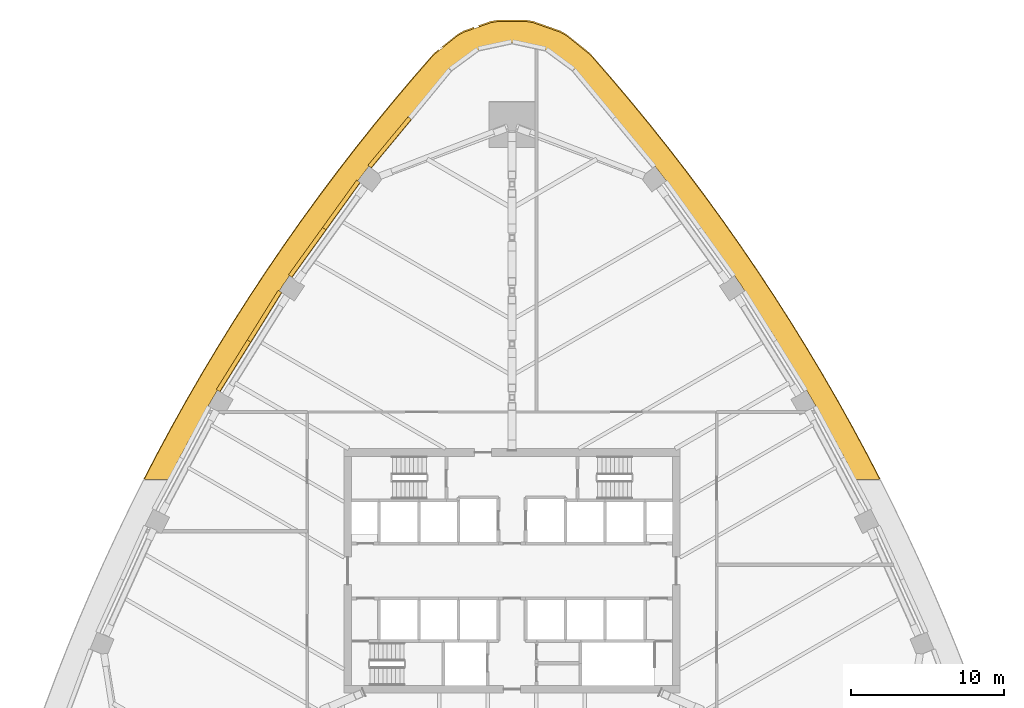
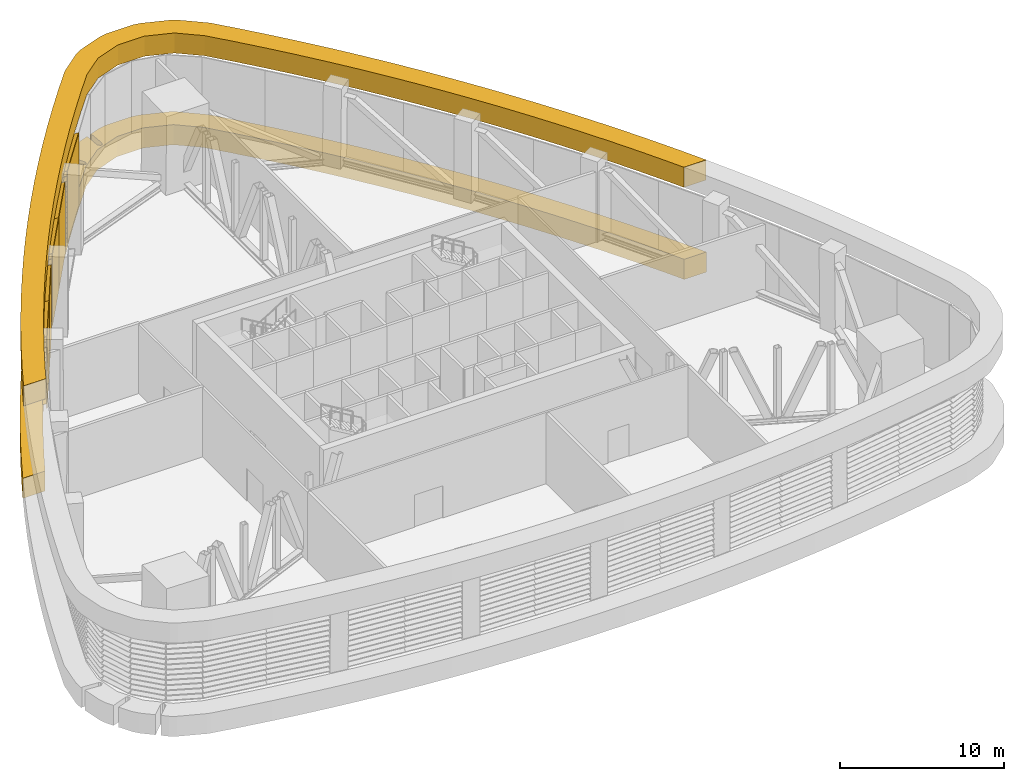
# One storey, part 16 of 18: 5 shading devices, 2 coverings.
"""IFC4 building model written with IfcOpenShell, lengths in metres."""

from ifc_helpers import new_model, si_unit, direction, frame, origin, place, context, subcontext, project, spatial, polyline, outline, extrude, material, layer, layer_set, type_object, element, save


model = new_model("IFC4")

# Units and contexts
model_context = context("Model", 3, precision=1e-05, world=origin(), true_north=direction((0.0, 1.0)))
body_context = subcontext(model_context, "Body", "Model", "MODEL_VIEW")
ifc_project = project(units=[si_unit("LENGTHUNIT", "METRE"), si_unit("AREAUNIT", "SQUARE_METRE"), si_unit("VOLUMEUNIT", "CUBIC_METRE"), si_unit("PLANEANGLEUNIT", "RADIAN"), si_unit("MASSUNIT", "GRAM", prefix="KILO")], contexts=[model_context])

# Site, building, storey
site_placement = place(None, origin())
site = spatial("IfcSite", under=ifc_project, at=site_placement, CompositionType="ELEMENT")
building_placement = place(site_placement, origin())
building = spatial("IfcBuilding", under=site, at=building_placement, Name="Sierra Prisma Convention Tower", CompositionType="ELEMENT")
storey_placement = place(building_placement, frame((0.0, 0.0, 112.60009765625)))
storey = spatial("IfcBuildingStorey", under=building, at=storey_placement, Name="L24", CompositionType="ELEMENT", Elevation=112.60009765625)

# Coverings
ifc_material_1 = material(Name="Aluminium composite bronze anodised", Category="aluminium")
ifc_layer = layer(ifc_material_1, 1.39990234375)
ifc_layer_set = layer_set([ifc_layer], Name="Bronze belt mass")
covering_type = type_object("IfcCoveringType", Name="Bronze belt mass", PredefinedType="CLADDING", material=ifc_layer_set)
covering_1_placement = place(storey_placement, frame((0.0, 0.0, -1.5)))
element("IfcCovering", 1, at=covering_1_placement, inside=storey, type_object=covering_type, Name="Belt mass lower L24.2", PredefinedType="CLADDING", context=body_context, shape_type="SweptSolid", body=[
    extrude(outline(polyline([(-23.26416015625, 7.674072265625), (-23.25439453125, 7.6923828125), (-22.320556640625, 9.427001953125), (-22.310546875, 9.4453125), (-21.35107421875, 11.16552734375), (-21.3408203125, 11.18359375), (-20.355712890625, 12.889892578125), (-20.34521484375, 12.90771484375), (-19.3349609375, 14.59912109375), (-19.32421875, 14.61669921875), (-18.2890625, 16.292724609375), (-18.278076171875, 16.310302734375), (-17.218017578125, 17.970947265625), (-17.206787109375, 17.98828125), (-16.122314453125, 19.633056640625), (-16.11083984375, 19.650390625), (-15.002197265625, 21.27880859375), (-14.990234375, 21.2958984375), (-13.857666015625, 22.90771484375), (-13.845458984375, 22.924560546875), (-12.68896484375, 24.519287109375), (-12.6767578125, 24.535888671875), (-11.49658203125, 26.11328125), (-11.48388671875, 26.1298828125), (-10.28076171875, 27.689697265625), (-10.267822265625, 27.7060546875), (-9.04150390625, 29.247802734375), (-9.028564453125, 29.263916015625), (-7.779541015625, 30.78759765625), (-7.76611328125, 30.803466796875), (-6.49462890625, 32.30810546875), (-6.481201171875, 32.323974609375), (-5.1875, 33.8095703125), (-5.00927734375, 33.98095703125), (-4.822265625, 34.13134765625), (-4.822265625, 34.12890625), (-4.8212890625, 34.124267578125), (-4.820068359375, 34.119384765625), (-4.818359375, 34.11474609375), (-4.81640625, 34.1103515625), (-4.28564453125, 33.146728515625), (-4.283203125, 33.142822265625), (-4.280517578125, 33.13916015625), (-4.27734375, 33.1357421875), (-4.27392578125, 33.132568359375), (-4.270263671875, 33.1298828125), (-4.266357421875, 33.127197265625), (-4.26220703125, 33.125244140625), (-4.116455078125, 33.060791015625), (-4.11181640625, 33.058837890625), (-4.10693359375, 33.0576171875), (-4.10205078125, 33.056884765625), (-4.09716796875, 33.056396484375), (-4.092041015625, 33.056640625), (-4.087158203125, 33.05712890625), (-4.082275390625, 33.058349609375), (-4.07763671875, 33.06005859375), (-4.072998046875, 33.06201171875), (-4.06884765625, 33.064453125), (-4.064697265625, 33.0673828125), (-3.98681640625, 33.130126953125), (-3.98291015625, 33.133544921875), (-3.9794921875, 33.137451171875), (-3.9765625, 33.1416015625), (-3.973876953125, 33.14599609375), (-3.9716796875, 33.15087890625), (-3.97021484375, 33.15576171875), (-3.968994140625, 33.16064453125), (-3.96826171875, 33.166015625), (-3.96826171875, 33.1708984375), (-3.972900390625, 33.29345703125), (-3.973388671875, 33.298095703125), (-3.97412109375, 33.302734375), (-3.975341796875, 33.30712890625), (-3.97705078125, 33.3115234375), (-3.97900390625, 33.315673828125), (-4.509765625, 34.279296875), (-4.51220703125, 34.283447265625), (-4.51513671875, 34.287353515625), (-4.5185546875, 34.291015625), (-4.522216796875, 34.294189453125), (-4.526123046875, 34.297119140625), (-4.530517578125, 34.299560546875), (-4.534912109375, 34.301513671875), (-4.53955078125, 34.30322265625), (-4.544189453125, 34.30419921875), (-4.54931640625, 34.304931640625), (-4.55419921875, 34.30517578125), (-4.55908203125, 34.3046875), (-4.563720703125, 34.303955078125), (-4.568603515625, 34.302734375), (-4.5732421875, 34.301025390625), (-4.57763671875, 34.298828125), (-4.693359375, 34.235107421875), (-3.560791015625, 35.146484375), (-3.1484375, 35.376220703125), (-2.501708984375, 35.60400390625), (-2.418212890625, 34.52490234375), (-2.41748046875, 34.519775390625), (-2.41650390625, 34.514892578125), (-2.414794921875, 34.51025390625), (-2.412841796875, 34.505615234375), (-2.410400390625, 34.50146484375), (-2.407470703125, 34.497314453125), (-2.404296875, 34.49365234375), (-2.286865234375, 34.37353515625), (-2.283447265625, 34.370361328125), (-2.279541015625, 34.367431640625), (-2.275634765625, 34.364990234375), (-2.271484375, 34.36279296875), (-2.26708984375, 34.361083984375), (-2.262451171875, 34.35986328125), (-2.2578125, 34.35888671875), (-2.2529296875, 34.3583984375), (-2.248291015625, 34.3583984375), (-2.24365234375, 34.35888671875), (-2.239013671875, 34.35986328125), (-2.234375, 34.361328125), (-2.14013671875, 34.39453125), (-2.135498046875, 34.396484375), (-2.131103515625, 34.398681640625), (-2.126953125, 34.401611328125), (-2.123291015625, 34.404541015625), (-2.11962890625, 34.408203125), (-2.11669921875, 34.411865234375), (-2.11376953125, 34.416015625), (-2.111572265625, 34.42041015625), (-2.109619140625, 34.425048828125), (-2.072021484375, 34.53125), (-2.070556640625, 34.5361328125), (-2.069580078125, 34.541259765625), (-2.069091796875, 34.54638671875), (-2.0693359375, 34.5517578125), (-2.154052734375, 35.6484375), (-2.15478515625, 35.6533203125), (-2.15576171875, 35.658203125), (-2.1572265625, 35.662841796875), (-2.1591796875, 35.667236328125), (-2.161865234375, 35.67138671875), (-2.16455078125, 35.675537109375), (-2.167724609375, 35.67919921875), (-2.17138671875, 35.6826171875), (-2.17529296875, 35.685546875), (-2.179443359375, 35.688232421875), (-2.183837890625, 35.6904296875), (-2.1884765625, 35.692138671875), (-2.193115234375, 35.693359375), (-2.197998046875, 35.6943359375), (-2.202880859375, 35.694580078125), (-2.207763671875, 35.694580078125), (-2.255615234375, 35.69091796875), (-1.39501953125, 35.994140625), (-0.9296875, 36.073486328125), (0.9296875, 36.073486328125), (1.39501953125, 35.994140625), (3.1484375, 35.376220703125), (3.560791015625, 35.146484375), (5.00927734375, 33.98095703125), (5.1875, 33.8095703125), (6.481201171875, 32.323974609375), (6.49462890625, 32.30810546875), (7.76611328125, 30.803466796875), (7.779541015625, 30.78759765625), (9.028564453125, 29.263916015625), (9.04150390625, 29.247802734375), (10.267822265625, 27.7060546875), (10.28076171875, 27.689697265625), (11.48388671875, 26.1298828125), (11.49658203125, 26.11328125), (12.6767578125, 24.535888671875), (12.68896484375, 24.519287109375), (13.845458984375, 22.924560546875), (13.857666015625, 22.90771484375), (14.990234375, 21.2958984375), (15.002197265625, 21.27880859375), (16.11083984375, 19.650390625), (16.122314453125, 19.633056640625), (17.206787109375, 17.98828125), (17.218017578125, 17.970947265625), (18.278076171875, 16.310302734375), (18.2890625, 16.292724609375), (19.32421875, 14.61669921875), (19.3349609375, 14.59912109375), (20.34521484375, 12.90771484375), (20.355712890625, 12.889892578125), (21.3408203125, 11.18359375), (21.35107421875, 11.16552734375), (22.310546875, 9.4453125), (22.320556640625, 9.427001953125), (23.25439453125, 7.6923828125), (23.26416015625, 7.674072265625), (24.128662109375, 6.010009765625), (22.551025390625, 6.010009765625), (22.02197265625, 7.02880859375), (21.087890625, 8.76318359375), (20.12841796875, 10.483642578125), (19.94921875, 10.793701171875), (19.949462890625, 10.797607421875), (19.948974609375, 10.802490234375), (19.947998046875, 10.807373046875), (19.94677734375, 10.812255859375), (19.945068359375, 10.816650390625), (19.942626953125, 10.821044921875), (19.3427734375, 11.8603515625), (19.340087890625, 11.864501953125), (19.3369140625, 11.8681640625), (19.33349609375, 11.871826171875), (19.329833984375, 11.875), (19.325927734375, 11.877685546875), (19.322265625, 11.879638671875), (19.143310546875, 12.189697265625), (18.133056640625, 13.881103515625), (17.097900390625, 15.55712890625), (16.0380859375, 17.2177734375), (15.31640625, 18.31201171875), (15.31640625, 18.31591796875), (15.315673828125, 18.32080078125), (15.314453125, 18.325439453125), (15.312744140625, 18.330078125), (15.310546875, 18.33447265625), (15.30810546875, 18.338623046875), (14.64013671875, 19.335693359375), (14.637451171875, 19.339111328125), (14.616943359375, 19.364501953125), (14.613525390625, 19.3681640625), (14.610107421875, 19.37158203125), (14.60595703125, 19.37451171875), (14.604248046875, 19.37548828125), (13.844970703125, 20.49072265625), (12.712158203125, 22.1025390625), (11.5556640625, 23.697509765625), (10.37548828125, 25.27490234375), (10.189697265625, 25.515625), (10.189453125, 25.5166015625), (10.1875, 25.521240234375), (10.185302734375, 25.525390625), (10.1826171875, 25.529541015625), (10.143798828125, 25.581298828125), (10.143310546875, 25.581787109375), (9.410400390625, 26.531982421875), (9.406982421875, 26.53564453125), (9.403564453125, 26.5390625), (9.399658203125, 26.542236328125), (9.39599609375, 26.54443359375), (9.172119140625, 26.834716796875), (7.94580078125, 28.37646484375), (6.697021484375, 29.89990234375), (5.42529296875, 31.404541015625), (4.131591796875, 32.89013671875), (2.68310546875, 34.0556640625), (0.9296875, 34.673583984375), (-0.9296875, 34.673583984375), (-2.68310546875, 34.0556640625), (-4.131591796875, 32.89013671875), (-5.42529296875, 31.404541015625), (-6.697021484375, 29.89990234375), (-7.94580078125, 28.37646484375), (-9.172119140625, 26.834716796875), (-9.39599609375, 26.54443359375), (-9.399658203125, 26.542236328125), (-9.403564453125, 26.5390625), (-9.406982421875, 26.53564453125), (-9.410400390625, 26.531982421875), (-10.143310546875, 25.581787109375), (-10.143798828125, 25.581298828125), (-10.1826171875, 25.529541015625), (-10.185302734375, 25.525390625), (-10.1875, 25.521240234375), (-10.189453125, 25.5166015625), (-10.189697265625, 25.515625), (-10.37548828125, 25.27490234375), (-11.5556640625, 23.697509765625), (-12.712158203125, 22.1025390625), (-13.844970703125, 20.49072265625), (-14.604248046875, 19.37548828125), (-14.60595703125, 19.37451171875), (-14.610107421875, 19.37158203125), (-14.613525390625, 19.3681640625), (-14.616943359375, 19.364501953125), (-14.637451171875, 19.339111328125), (-14.64013671875, 19.335693359375), (-15.30810546875, 18.338623046875), (-15.310546875, 18.33447265625), (-15.312744140625, 18.330078125), (-15.314453125, 18.325439453125), (-15.315673828125, 18.32080078125), (-15.31640625, 18.31591796875), (-15.31640625, 18.31201171875), (-16.0380859375, 17.2177734375), (-17.097900390625, 15.55712890625), (-18.133056640625, 13.881103515625), (-19.143310546875, 12.189697265625), (-19.322265625, 11.879638671875), (-19.325927734375, 11.877685546875), (-19.329833984375, 11.875), (-19.33349609375, 11.871826171875), (-19.3369140625, 11.8681640625), (-19.340087890625, 11.864501953125), (-19.3427734375, 11.8603515625), (-19.942626953125, 10.821044921875), (-19.945068359375, 10.816650390625), (-19.94677734375, 10.812255859375), (-19.947998046875, 10.807373046875), (-19.948974609375, 10.802490234375), (-19.949462890625, 10.797607421875), (-19.94921875, 10.793701171875), (-20.12841796875, 10.483642578125), (-21.087890625, 8.76318359375), (-22.02197265625, 7.02880859375), (-22.551025390625, 6.010009765625), (-24.128662109375, 6.010009765625), (-23.26416015625, 7.674072265625)])), origin(), (0.0, 0.0, 1.0), 1.5),
])
covering_2_placement = place(storey_placement, frame((0.0, 0.0, 5.39990234375)))
element("IfcCovering", 2, at=covering_2_placement, inside=storey, type_object=covering_type, Name="Belt mass upper L24.2", PredefinedType="CLADDING", context=body_context, shape_type="SweptSolid", body=[
    extrude(outline(polyline([(-23.215087890625, 7.66845703125), (-23.205322265625, 7.686767578125), (-22.275146484375, 9.414306640625), (-22.26513671875, 9.4326171875), (-21.3095703125, 11.146240234375), (-21.29931640625, 11.164306640625), (-20.318115234375, 12.863525390625), (-20.3076171875, 12.88134765625), (-19.301513671875, 14.56591796875), (-19.290771484375, 14.583740234375), (-18.259521484375, 16.253173828125), (-18.24853515625, 16.270751953125), (-17.19287109375, 17.924560546875), (-17.181396484375, 17.94189453125), (-16.101318359375, 19.580078125), (-16.089599609375, 19.597412109375), (-14.9853515625, 21.218994140625), (-14.9736328125, 21.236083984375), (-13.84521484375, 22.84130859375), (-13.833251953125, 22.8583984375), (-12.68115234375, 24.446533203125), (-12.668701171875, 24.46337890625), (-11.493408203125, 26.034423828125), (-11.480712890625, 26.05078125), (-10.281982421875, 27.6044921875), (-10.269287109375, 27.62060546875), (-9.047607421875, 29.15625), (-9.03466796875, 29.17236328125), (-7.790283203125, 30.689453125), (-7.777099609375, 30.705322265625), (-6.510498046875, 32.203857421875), (-6.496826171875, 32.2197265625), (-5.2080078125, 33.69921875), (-5.030029296875, 33.87060546875), (-3.57421875, 35.041748046875), (-3.161865234375, 35.271240234375), (-1.3994140625, 35.89208984375), (-0.93408203125, 35.9716796875), (0.93408203125, 35.9716796875), (1.3994140625, 35.89208984375), (3.161865234375, 35.271240234375), (3.57421875, 35.041748046875), (5.030029296875, 33.87060546875), (5.2080078125, 33.69921875), (6.496826171875, 32.2197265625), (6.510498046875, 32.203857421875), (7.777099609375, 30.705322265625), (7.790283203125, 30.689453125), (9.03466796875, 29.17236328125), (9.047607421875, 29.15625), (10.269287109375, 27.62060546875), (10.281982421875, 27.6044921875), (11.480712890625, 26.05078125), (11.493408203125, 26.034423828125), (12.668701171875, 24.46337890625), (12.68115234375, 24.446533203125), (13.833251953125, 22.8583984375), (13.84521484375, 22.84130859375), (14.9736328125, 21.236083984375), (14.9853515625, 21.218994140625), (16.089599609375, 19.597412109375), (16.101318359375, 19.580078125), (17.181396484375, 17.94189453125), (17.19287109375, 17.924560546875), (18.24853515625, 16.270751953125), (18.259521484375, 16.253173828125), (19.290771484375, 14.583740234375), (19.301513671875, 14.56591796875), (20.3076171875, 12.88134765625), (20.318115234375, 12.863525390625), (21.29931640625, 11.164306640625), (21.3095703125, 11.146240234375), (22.26513671875, 9.4326171875), (22.275146484375, 9.414306640625), (23.205322265625, 7.686767578125), (23.215087890625, 7.66845703125), (24.091064453125, 5.98193359375), (22.513427734375, 5.98193359375), (21.97265625, 7.02294921875), (21.04248046875, 8.750732421875), (20.0869140625, 10.46435546875), (19.105712890625, 12.16357421875), (18.099609375, 13.847900390625), (17.068603515625, 15.517333984375), (16.0126953125, 17.17138671875), (14.9326171875, 18.809326171875), (13.828125, 20.43115234375), (12.699951171875, 22.036376953125), (11.5478515625, 23.62451171875), (10.372314453125, 25.19580078125), (9.173583984375, 26.7490234375), (7.9521484375, 28.284423828125), (6.7080078125, 29.8017578125), (5.441162109375, 31.30029296875), (4.152587890625, 32.77978515625), (2.696533203125, 33.950927734375), (0.93408203125, 34.57177734375), (-0.93408203125, 34.57177734375), (-2.696533203125, 33.950927734375), (-4.152587890625, 32.77978515625), (-5.441162109375, 31.30029296875), (-6.7080078125, 29.8017578125), (-7.9521484375, 28.284423828125), (-9.173583984375, 26.7490234375), (-10.372314453125, 25.19580078125), (-11.5478515625, 23.62451171875), (-12.699951171875, 22.036376953125), (-13.828125, 20.43115234375), (-14.9326171875, 18.809326171875), (-16.0126953125, 17.17138671875), (-17.068603515625, 15.517333984375), (-18.099609375, 13.847900390625), (-19.105712890625, 12.16357421875), (-20.0869140625, 10.46435546875), (-21.04248046875, 8.750732421875), (-21.97265625, 7.02294921875), (-22.513427734375, 5.98193359375), (-24.091064453125, 5.98193359375), (-23.215087890625, 7.66845703125)])), origin(), (0.0, 0.0, 1.0), 1.5),
])

# Shading devices
ifc_material_2 = material(Name="Aluminium 6063-T6 bronze anodised", Category="aluminium")
shading_device_type = type_object("IfcShadingDeviceType", Name="Louvre bay bronze", PredefinedType="USERDEFINED", material=ifc_material_2)
shading_device_1_placement = place(storey_placement, frame((-6.570556640625, 29.545654296875, 0.0), z_axis=(0.638398641609, 0.769705901233, 0.0), x_axis=(0.0, 0.0, 1.0)))
element("IfcShadingDevice", 3, at=shading_device_1_placement, inside=storey, type_object=shading_device_type, Name="Louvre L24 NW1.2", ObjectType="LOUVRE", PredefinedType="USERDEFINED", context=body_context, shape_type="SweptSolid", body=[
    extrude(outline(polyline([(0.0, 0.0), (5.39990234375, 0.0), (5.39990234375, -0.030164930005902528), (5.3798828125, -0.030164930005902528), (5.260009765625, -0.2999945373161155), (5.22998046875, -0.2999945373161155), (5.349853515625, -0.030164930005902528), (5.01416015625, -0.030164930005902528), (4.994140625, -0.030164930005902528), (4.874267578125, -0.2999945373161155), (4.84423828125, -0.2999945373161155), (4.964111328125, -0.030164930005902528), (4.62841796875, -0.030164930005902528), (4.6083984375, -0.030164930005902528), (4.488525390625, -0.2999945373161155), (4.45849609375, -0.2999945373161155), (4.578369140625, -0.030164930005902528), (4.24267578125, -0.030164930005902528), (4.22265625, -0.030164930005902528), (4.102783203125, -0.2999945373161155), (4.07275390625, -0.2999945373161155), (4.19287109375, -0.030164930005902528), (3.85693359375, -0.030164930005902528), (3.837158203125, -0.030164930005902528), (3.717041015625, -0.2999945373161155), (3.68701171875, -0.2999945373161155), (3.80712890625, -0.030164930005902528), (3.471435546875, -0.030164930005902528), (3.451416015625, -0.030164930005902528), (3.331298828125, -0.2999945373161155), (3.30126953125, -0.2999945373161155), (3.42138671875, -0.030164930005902528), (3.085693359375, -0.030164930005902528), (3.065673828125, -0.030164930005902528), (2.945556640625, -0.2999945373161155), (2.91552734375, -0.2999945373161155), (3.03564453125, -0.030164930005902528), (2.699951171875, -0.030164930005902528), (2.679931640625, -0.030164930005902528), (2.559814453125, -0.2999945373161155), (2.52978515625, -0.2999945373161155), (2.64990234375, -0.030164930005902528), (2.314208984375, -0.030164930005902528), (2.294189453125, -0.030164930005902528), (2.174072265625, -0.2999945373161155), (2.144287109375, -0.2999945373161155), (2.26416015625, -0.030164930005902528), (1.928466796875, -0.030164930005902528), (1.908447265625, -0.030164930005902528), (1.78857421875, -0.2999945373161155), (1.758544921875, -0.2999945373161155), (1.87841796875, -0.030164930005902528), (1.542724609375, -0.030164930005902528), (1.522705078125, -0.030164930005902528), (1.40283203125, -0.2999945373161155), (1.372802734375, -0.2999945373161155), (1.49267578125, -0.030164930005902528), (1.156982421875, -0.030164930005902528), (1.136962890625, -0.030164930005902528), (1.01708984375, -0.2999945373161155), (0.987060546875, -0.2999945373161155), (1.10693359375, -0.030164930005902528), (0.771240234375, -0.030164930005902528), (0.751220703125, -0.030164930005902528), (0.63134765625, -0.2999945373161155), (0.601318359375, -0.2999945373161155), (0.721435546875, -0.030164930005902528), (0.385498046875, -0.030164930005902528), (0.36572265625, -0.030164930005902528), (0.24560546875, -0.2999945373161155), (0.215576171875, -0.2999945373161155), (0.335693359375, -0.030164930005902528), (0.0, -0.030164930005902528), (0.0, 0.0)])), origin(), (0.0, 0.0, -1.0), 4.123291015625),
])
shading_device_2_placement = place(storey_placement, frame((-9.92919921875, 25.417236328125, 0.0), z_axis=(0.584167630245, 0.811633032703, 0.0), x_axis=(0.0, 0.0, 1.0)))
element("IfcShadingDevice", 4, at=shading_device_2_placement, inside=storey, type_object=shading_device_type, Name="Louvre L24 NW2.1", ObjectType="LOUVRE", PredefinedType="USERDEFINED", context=body_context, shape_type="SweptSolid", body=[
    extrude(outline(polyline([(0.0, 0.0), (5.39990234375, 0.0), (5.39990234375, -0.030083831212865023), (5.3798828125, -0.030083831212865023), (5.260009765625, -0.3001567688361954), (5.22998046875, -0.3001567688361954), (5.349853515625, -0.030083831212865023), (5.01416015625, -0.030083831212865023), (4.994140625, -0.030083831212865023), (4.874267578125, -0.3001567688361954), (4.84423828125, -0.3001567688361954), (4.964111328125, -0.030083831212865023), (4.62841796875, -0.030083831212865023), (4.6083984375, -0.030083831212865023), (4.488525390625, -0.3001567688361954), (4.45849609375, -0.3001567688361954), (4.578369140625, -0.030083831212865023), (4.24267578125, -0.030083831212865023), (4.22265625, -0.030083831212865023), (4.102783203125, -0.3001567688361954), (4.07275390625, -0.3001567688361954), (4.19287109375, -0.030083831212865023), (3.85693359375, -0.030083831212865023), (3.837158203125, -0.030083831212865023), (3.717041015625, -0.3001567688361954), (3.68701171875, -0.3001567688361954), (3.80712890625, -0.030083831212865023), (3.471435546875, -0.030083831212865023), (3.451416015625, -0.030083831212865023), (3.331298828125, -0.3001567688361954), (3.30126953125, -0.3001567688361954), (3.42138671875, -0.030083831212865023), (3.085693359375, -0.030083831212865023), (3.065673828125, -0.030083831212865023), (2.945556640625, -0.3001567688361954), (2.91552734375, -0.3001567688361954), (3.03564453125, -0.030083831212865023), (2.699951171875, -0.030083831212865023), (2.679931640625, -0.030083831212865023), (2.559814453125, -0.3001567688361954), (2.52978515625, -0.3001567688361954), (2.64990234375, -0.030083831212865023), (2.314208984375, -0.030083831212865023), (2.294189453125, -0.030083831212865023), (2.174072265625, -0.3001567688361954), (2.144287109375, -0.3001567688361954), (2.26416015625, -0.030083831212865023), (1.928466796875, -0.030083831212865023), (1.908447265625, -0.030083831212865023), (1.78857421875, -0.3001567688361954), (1.758544921875, -0.3001567688361954), (1.87841796875, -0.030083831212865023), (1.542724609375, -0.030083831212865023), (1.522705078125, -0.030083831212865023), (1.40283203125, -0.3001567688361954), (1.372802734375, -0.3001567688361954), (1.49267578125, -0.030083831212865023), (1.156982421875, -0.030083831212865023), (1.136962890625, -0.030083831212865023), (1.01708984375, -0.3001567688361954), (0.987060546875, -0.3001567688361954), (1.10693359375, -0.030083831212865023), (0.771240234375, -0.030083831212865023), (0.751220703125, -0.030083831212865023), (0.63134765625, -0.3001567688361954), (0.601318359375, -0.3001567688361954), (0.721435546875, -0.030083831212865023), (0.385498046875, -0.030083831212865023), (0.36572265625, -0.030083831212865023), (0.24560546875, -0.3001567688361954), (0.215576171875, -0.3001567688361954), (0.335693359375, -0.030083831212865023), (0.0, -0.030083831212865023), (0.0, 0.0)])), origin(), (0.0, 0.0, -1.0), 3.823486328125),
])
shading_device_3_placement = place(storey_placement, frame((-12.162353515625, 22.313720703125, 0.0), z_axis=(0.584167630245, 0.811633032703, 0.0), x_axis=(0.0, 0.0, 1.0)))
element("IfcShadingDevice", 5, at=shading_device_3_placement, inside=storey, type_object=shading_device_type, Name="Louvre L24 NW2.2", ObjectType="LOUVRE", PredefinedType="USERDEFINED", context=body_context, shape_type="SweptSolid", body=[
    extrude(outline(polyline([(0.0, 0.0), (5.39990234375, 0.0), (5.39990234375, -0.030083831212865023), (5.3798828125, -0.030083831212865023), (5.260009765625, -0.3001567688361954), (5.22998046875, -0.3001567688361954), (5.349853515625, -0.030083831212865023), (5.01416015625, -0.030083831212865023), (4.994140625, -0.030083831212865023), (4.874267578125, -0.3001567688361954), (4.84423828125, -0.3001567688361954), (4.964111328125, -0.030083831212865023), (4.62841796875, -0.030083831212865023), (4.6083984375, -0.030083831212865023), (4.488525390625, -0.3001567688361954), (4.45849609375, -0.3001567688361954), (4.578369140625, -0.030083831212865023), (4.24267578125, -0.030083831212865023), (4.22265625, -0.030083831212865023), (4.102783203125, -0.3001567688361954), (4.07275390625, -0.3001567688361954), (4.19287109375, -0.030083831212865023), (3.85693359375, -0.030083831212865023), (3.837158203125, -0.030083831212865023), (3.717041015625, -0.3001567688361954), (3.68701171875, -0.3001567688361954), (3.80712890625, -0.030083831212865023), (3.471435546875, -0.030083831212865023), (3.451416015625, -0.030083831212865023), (3.331298828125, -0.3001567688361954), (3.30126953125, -0.3001567688361954), (3.42138671875, -0.030083831212865023), (3.085693359375, -0.030083831212865023), (3.065673828125, -0.030083831212865023), (2.945556640625, -0.3001567688361954), (2.91552734375, -0.3001567688361954), (3.03564453125, -0.030083831212865023), (2.699951171875, -0.030083831212865023), (2.679931640625, -0.030083831212865023), (2.559814453125, -0.3001567688361954), (2.52978515625, -0.3001567688361954), (2.64990234375, -0.030083831212865023), (2.314208984375, -0.030083831212865023), (2.294189453125, -0.030083831212865023), (2.174072265625, -0.3001567688361954), (2.144287109375, -0.3001567688361954), (2.26416015625, -0.030083831212865023), (1.928466796875, -0.030083831212865023), (1.908447265625, -0.030083831212865023), (1.78857421875, -0.3001567688361954), (1.758544921875, -0.3001567688361954), (1.87841796875, -0.030083831212865023), (1.542724609375, -0.030083831212865023), (1.522705078125, -0.030083831212865023), (1.40283203125, -0.3001567688361954), (1.372802734375, -0.3001567688361954), (1.49267578125, -0.030083831212865023), (1.156982421875, -0.030083831212865023), (1.136962890625, -0.030083831212865023), (1.01708984375, -0.3001567688361954), (0.987060546875, -0.3001567688361954), (1.10693359375, -0.030083831212865023), (0.771240234375, -0.030083831212865023), (0.751220703125, -0.030083831212865023), (0.63134765625, -0.3001567688361954), (0.601318359375, -0.3001567688361954), (0.721435546875, -0.030083831212865023), (0.385498046875, -0.030083831212865023), (0.36572265625, -0.030083831212865023), (0.24560546875, -0.3001567688361954), (0.215576171875, -0.3001567688361954), (0.335693359375, -0.030083831212865023), (0.0, -0.030083831212865023), (0.0, 0.0)])), origin(), (0.0, 0.0, -1.0), 3.823486328125),
])
shading_device_4_placement = place(storey_placement, frame((-15.06298828125, 18.2138671875, 0.0), z_axis=(0.52751742341, 0.849544211916, 0.0), x_axis=(0.0, 0.0, 1.0)))
element("IfcShadingDevice", 6, at=shading_device_4_placement, inside=storey, type_object=shading_device_type, Name="Louvre L24 NW3.1", ObjectType="LOUVRE", PredefinedType="USERDEFINED", context=body_context, shape_type="SweptSolid", body=[
    extrude(outline(polyline([(0.0, 0.0), (5.39990234375, 0.0), (5.39990234375, -0.030149114934756333), (5.3798828125, -0.030149114934756333), (5.260009765625, -0.30003929156352793), (5.22998046875, -0.30003929156352793), (5.349853515625, -0.030149114934756333), (5.01416015625, -0.030149114934756333), (4.994140625, -0.030149114934756333), (4.874267578125, -0.30003929156352793), (4.84423828125, -0.30003929156352793), (4.964111328125, -0.030149114934756333), (4.62841796875, -0.030149114934756333), (4.6083984375, -0.030149114934756333), (4.488525390625, -0.30003929156352793), (4.45849609375, -0.30003929156352793), (4.578369140625, -0.030149114934756333), (4.24267578125, -0.030149114934756333), (4.22265625, -0.030149114934756333), (4.102783203125, -0.30003929156352793), (4.07275390625, -0.30003929156352793), (4.19287109375, -0.030149114934756333), (3.85693359375, -0.030149114934756333), (3.837158203125, -0.030149114934756333), (3.717041015625, -0.30003929156352793), (3.68701171875, -0.30003929156352793), (3.80712890625, -0.030149114934756333), (3.471435546875, -0.030149114934756333), (3.451416015625, -0.030149114934756333), (3.331298828125, -0.30003929156352793), (3.30126953125, -0.30003929156352793), (3.42138671875, -0.030149114934756333), (3.085693359375, -0.030149114934756333), (3.065673828125, -0.030149114934756333), (2.945556640625, -0.30003929156352793), (2.91552734375, -0.30003929156352793), (3.03564453125, -0.030149114934756333), (2.699951171875, -0.030149114934756333), (2.679931640625, -0.030149114934756333), (2.559814453125, -0.30003929156352793), (2.52978515625, -0.30003929156352793), (2.64990234375, -0.030149114934756333), (2.314208984375, -0.030149114934756333), (2.294189453125, -0.030149114934756333), (2.174072265625, -0.30003929156352793), (2.144287109375, -0.30003929156352793), (2.26416015625, -0.030149114934756333), (1.928466796875, -0.030149114934756333), (1.908447265625, -0.030149114934756333), (1.78857421875, -0.30003929156352793), (1.758544921875, -0.30003929156352793), (1.87841796875, -0.030149114934756333), (1.542724609375, -0.030149114934756333), (1.522705078125, -0.030149114934756333), (1.40283203125, -0.30003929156352793), (1.372802734375, -0.30003929156352793), (1.49267578125, -0.030149114934756333), (1.156982421875, -0.030149114934756333), (1.136962890625, -0.030149114934756333), (1.01708984375, -0.30003929156352793), (0.987060546875, -0.30003929156352793), (1.10693359375, -0.030149114934756333), (0.771240234375, -0.030149114934756333), (0.751220703125, -0.030149114934756333), (0.63134765625, -0.30003929156352793), (0.601318359375, -0.30003929156352793), (0.721435546875, -0.030149114934756333), (0.385498046875, -0.030149114934756333), (0.36572265625, -0.030149114934756333), (0.24560546875, -0.30003929156352793), (0.215576171875, -0.30003929156352793), (0.335693359375, -0.030149114934756333), (0.0, -0.030149114934756333), (0.0, 0.0)])), origin(), (0.0, 0.0, -1.0), 3.823486328125),
])
shading_device_5_placement = place(storey_placement, frame((-17.084228515625, 14.968505859375, 0.0), z_axis=(0.529227993266, 0.84847965865, 0.0), x_axis=(0.0, 0.0, 1.0)))
element("IfcShadingDevice", 7, at=shading_device_5_placement, inside=storey, type_object=shading_device_type, Name="Louvre L24 NW3.2", ObjectType="LOUVRE", PredefinedType="USERDEFINED", context=body_context, shape_type="SweptSolid", body=[
    extrude(outline(polyline([(0.0, 0.0), (5.39990234375, 0.0), (5.39990234375, -0.029941822280747165), (5.3798828125, -0.029941822280747165), (5.260009765625, -0.2999104618169163), (5.22998046875, -0.2999104618169163), (5.349853515625, -0.029941822280747165), (5.01416015625, -0.029941822280747165), (4.994140625, -0.029941822280747165), (4.874267578125, -0.2999104618169163), (4.84423828125, -0.2999104618169163), (4.964111328125, -0.029941822280747165), (4.62841796875, -0.029941822280747165), (4.6083984375, -0.029941822280747165), (4.488525390625, -0.2999104618169163), (4.45849609375, -0.2999104618169163), (4.578369140625, -0.029941822280747165), (4.24267578125, -0.029941822280747165), (4.22265625, -0.029941822280747165), (4.102783203125, -0.2999104618169163), (4.07275390625, -0.2999104618169163), (4.19287109375, -0.029941822280747165), (3.85693359375, -0.029941822280747165), (3.837158203125, -0.029941822280747165), (3.717041015625, -0.2999104618169163), (3.68701171875, -0.2999104618169163), (3.80712890625, -0.029941822280747165), (3.471435546875, -0.029941822280747165), (3.451416015625, -0.029941822280747165), (3.331298828125, -0.2999104618169163), (3.30126953125, -0.2999104618169163), (3.42138671875, -0.029941822280747165), (3.085693359375, -0.029941822280747165), (3.065673828125, -0.029941822280747165), (2.945556640625, -0.2999104618169163), (2.91552734375, -0.2999104618169163), (3.03564453125, -0.029941822280747165), (2.699951171875, -0.029941822280747165), (2.679931640625, -0.029941822280747165), (2.559814453125, -0.2999104618169163), (2.52978515625, -0.2999104618169163), (2.64990234375, -0.029941822280747165), (2.314208984375, -0.029941822280747165), (2.294189453125, -0.029941822280747165), (2.174072265625, -0.2999104618169163), (2.144287109375, -0.2999104618169163), (2.26416015625, -0.029941822280747165), (1.928466796875, -0.029941822280747165), (1.908447265625, -0.029941822280747165), (1.78857421875, -0.2999104618169163), (1.758544921875, -0.2999104618169163), (1.87841796875, -0.029941822280747165), (1.542724609375, -0.029941822280747165), (1.522705078125, -0.029941822280747165), (1.40283203125, -0.2999104618169163), (1.372802734375, -0.2999104618169163), (1.49267578125, -0.029941822280747165), (1.156982421875, -0.029941822280747165), (1.136962890625, -0.029941822280747165), (1.01708984375, -0.2999104618169163), (0.987060546875, -0.2999104618169163), (1.10693359375, -0.029941822280747165), (0.771240234375, -0.029941822280747165), (0.751220703125, -0.029941822280747165), (0.63134765625, -0.2999104618169163), (0.601318359375, -0.2999104618169163), (0.721435546875, -0.029941822280747165), (0.385498046875, -0.029941822280747165), (0.36572265625, -0.029941822280747165), (0.24560546875, -0.2999104618169163), (0.215576171875, -0.2999104618169163), (0.335693359375, -0.029941822280747165), (0.0, -0.029941822280747165), (0.0, 0.0)])), origin(), (0.0, 0.0, -1.0), 3.823486328125),
])

save(model, "model.ifc")
